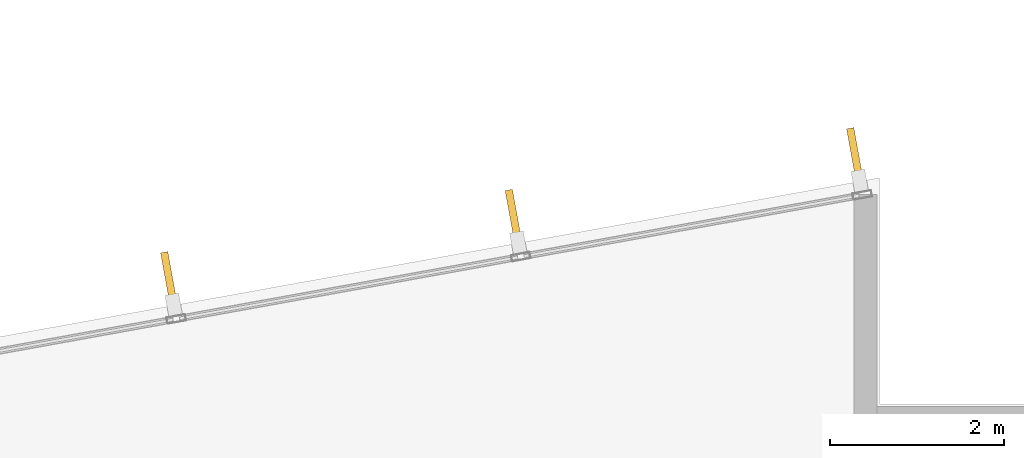
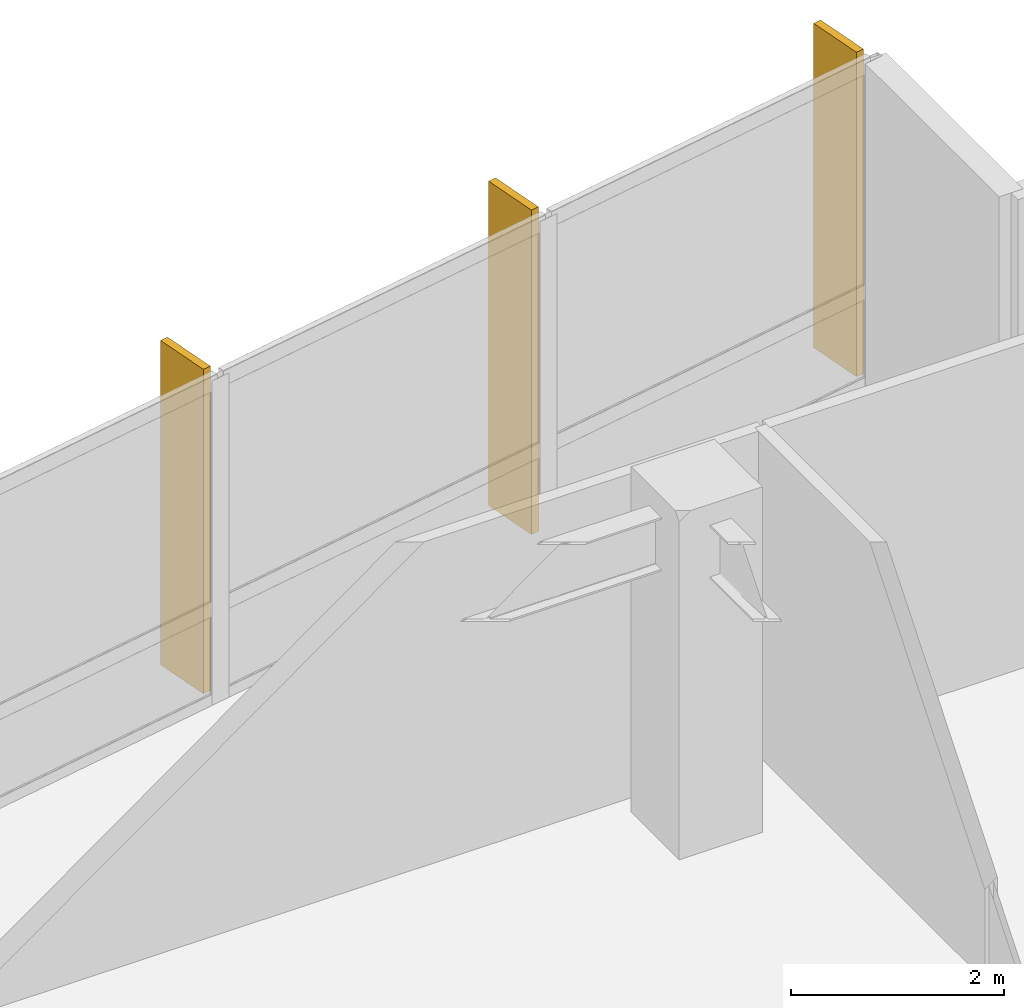
# One storey, part 19 of 19: 3 shading devices.
"""IFC4 building model written with IfcOpenShell, lengths in metres."""

from ifc_helpers import new_model, si_unit, direction, frame, origin, origin_2d, place, context, subcontext, project, spatial, rectangle, extrude, material, layer, layer_set, type_object, element, save


model = new_model("IFC4")

# Units and contexts
model_context = context("Model", 3, precision=1e-05, world=origin(), true_north=direction((0.0, 1.0)))
body_context = subcontext(model_context, "Body", "Model", "MODEL_VIEW")
ifc_project = project(units=[si_unit("LENGTHUNIT", "METRE"), si_unit("AREAUNIT", "SQUARE_METRE"), si_unit("VOLUMEUNIT", "CUBIC_METRE"), si_unit("PLANEANGLEUNIT", "RADIAN"), si_unit("MASSUNIT", "GRAM", prefix="KILO")], contexts=[model_context])

# Site, building, storey
site_placement = place(None, origin())
site = spatial("IfcSite", under=ifc_project, at=site_placement, CompositionType="ELEMENT")
building_placement = place(site_placement, origin())
building = spatial("IfcBuilding", under=site, at=building_placement, Name="Varnakote Quay Hospital", CompositionType="ELEMENT")
storey_placement = place(building_placement, frame((0.0, 0.0, 85.699951171875)))
storey = spatial("IfcBuildingStorey", under=building, at=storey_placement, Name="L21", CompositionType="ELEMENT", Elevation=85.699951171875)

# Shading devices
ifc_material = material(Name="Anodised aluminium 6063-T6 Bronze", Category="aluminium")
ifc_layer = layer(ifc_material, 0.0849609375)
ifc_layer_set = layer_set([ifc_layer], Name="Anodised aluminium 6063-T6 Bronze")
shading_device_type = type_object("IfcShadingDeviceType", Name="SHD-BRONZE-FIN-620", PredefinedType="USERDEFINED", material=ifc_layer_set)
for number, where, z_axis, x_axis, name in (
    (1, (55.319580078125, 34.664306640625, 0.0), (0.0, 0.0, 1.0), (0.177771795263, -0.984071739666, 0.0), "L21 Anodised Bronze Vertical Shading FIN"),
    (2, (51.393798828125, 33.954833984375, 0.0), (0.0, 0.0, 1.0), (0.177771795263, -0.984071739666, 0.0), "L21 Anodised Bronze Vertical Shading FIN"),
    (3, (47.43115234375, 33.23876953125, 0.0), (0.0, 0.0, 1.0), (0.177771795263, -0.984071739666, 0.0), "L21 Anodised Bronze Vertical Shading FIN"),
):
    element("IfcShadingDevice", number, at=place(storey_placement, frame(where, z_axis=z_axis, x_axis=x_axis)), inside=storey, type_object=shading_device_type, Name=name, ObjectType="FIN", PredefinedType="USERDEFINED", context=body_context, shape_type="SweptSolid", body=[
        extrude(rectangle(XDim=0.6201171875, YDim=0.0849609375, at=origin_2d()), origin(), (0.0, 0.0, 1.0), 3.7099609375),
    ])

save(model, "model.ifc")
